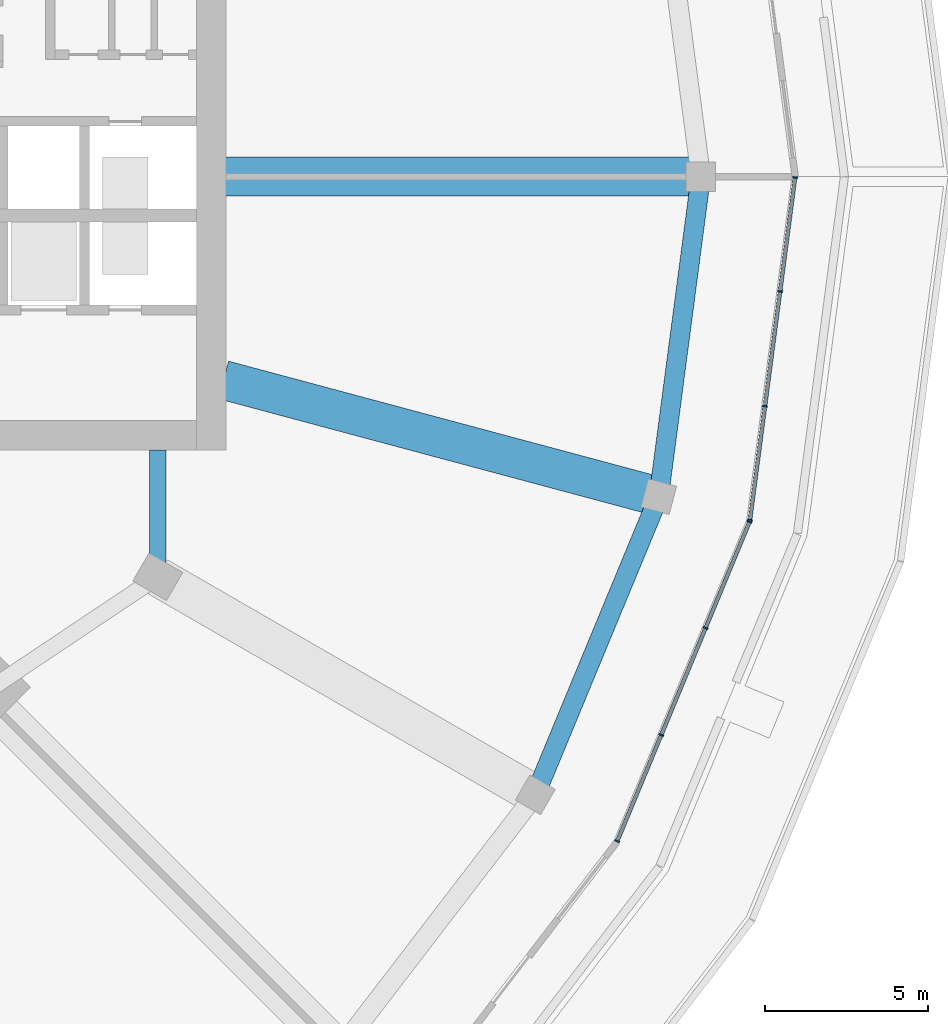
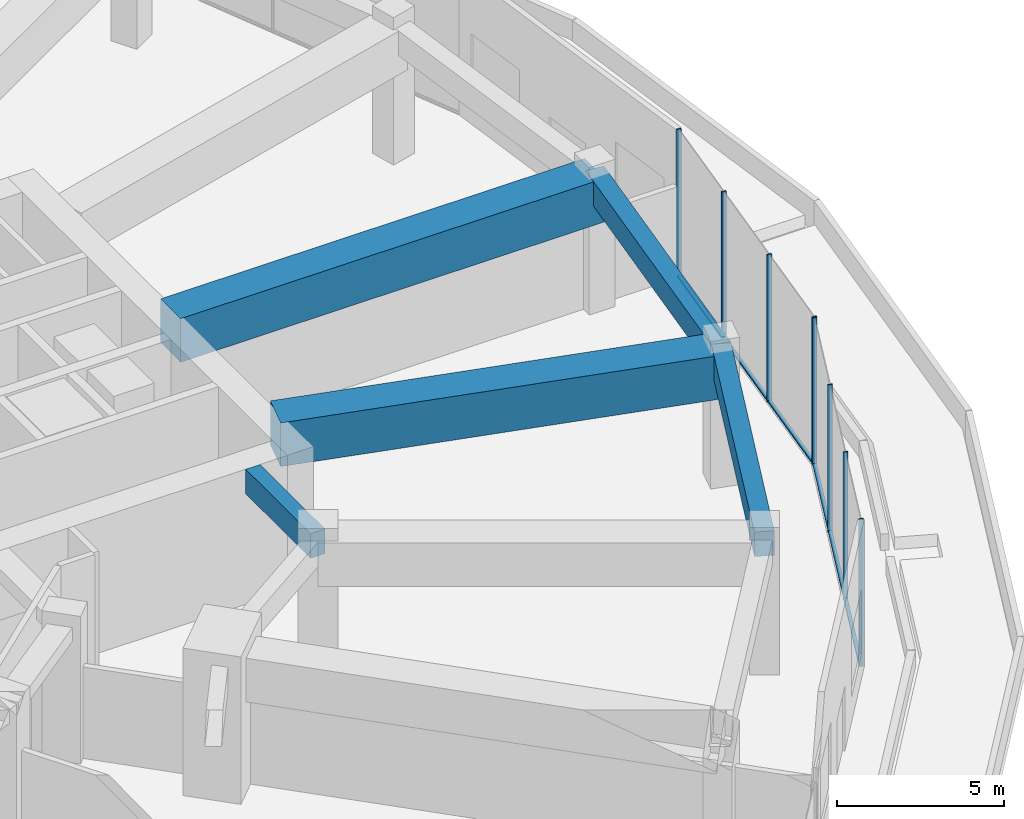
# One storey, part 12 of 30: 14 members, 5 beams, 2 elements without a shape of their own.
"""IFC4 building model written with IfcOpenShell, lengths in metres."""

from ifc_helpers import new_model, si_unit, direction, frame, origin, origin_2d, place, context, subcontext, project, spatial, rectangle, extrude, material, layer, layer_set, material_profile, profile_set, type_object, element, aggregate, save


model = new_model("IFC4")

# Units and contexts
model_context = context("Model", 3, precision=1e-05, world=origin(), true_north=direction((0.0, 1.0)))
body_context = subcontext(model_context, "Body", "Model", "MODEL_VIEW")
ifc_project = project(units=[si_unit("LENGTHUNIT", "METRE"), si_unit("AREAUNIT", "SQUARE_METRE"), si_unit("VOLUMEUNIT", "CUBIC_METRE"), si_unit("PLANEANGLEUNIT", "RADIAN"), si_unit("MASSUNIT", "GRAM", prefix="KILO")], contexts=[model_context])

# Site, building, storey
site_placement = place(None, origin())
site = spatial("IfcSite", under=ifc_project, at=site_placement, CompositionType="ELEMENT")
building_placement = place(site_placement, origin())
building = spatial("IfcBuilding", under=site, at=building_placement, Name="Torre Brocal", CompositionType="ELEMENT")
storey_placement = place(building_placement, frame((0.0, 0.0, 7.0)))
storey = spatial("IfcBuildingStorey", under=building, at=storey_placement, Name="L01", CompositionType="ELEMENT", Elevation=7.0)

# Curtain wall, members
ifc_material_1 = material(Name="Aluminium and glass", Category="aluminium")
ifc_layer = layer(ifc_material_1, 0.199951171875)
ifc_layer_set = layer_set([ifc_layer], Name="Aluminium and glass")
curtain_wall_type = type_object("IfcCurtainWallType", Name="CW-3 CURTAIN WALL 5400 HIGH", PredefinedType="NOTDEFINED", material=ifc_layer_set)
curtain_wall_1_placement = place(storey_placement, origin())
curtain_wall_1 = element("IfcCurtainWall", 1, at=curtain_wall_1_placement, inside=storey, type_object=curtain_wall_type, Name="CW-3 RUN 23", PredefinedType="NOTDEFINED")
ifc_material_2 = material(Name="Aluminium, dark anodised", Category="aluminium")
ifc_material_profile_1 = material_profile(ifc_material_2, rectangle(XDim=0.14990234375, YDim=0.050048828125, at=origin_2d()), Name="CW-3 MULLION 50X150")
ifc_profile_set_1 = profile_set([ifc_material_profile_1], Name="Aluminium, dark anodised")
member_type_1 = type_object("IfcMemberType", Name="CW-3 MULLION 50X150", PredefinedType="MULLION", material=ifc_profile_set_1)
member_1_placement = place(storey_placement, frame((115.42919921875, 54.573486328125, 0.0), z_axis=(0.0, 0.0, 1.0), x_axis=(-0.923879532498, 0.382683432397, 0.0)))
member_1 = element("IfcMember", 2, at=member_1_placement, type_object=member_type_1, Name="CW3-2 mullion 1", PredefinedType="MULLION", context=body_context, shape_type="SweptSolid", body=[
    extrude(rectangle(XDim=0.14990234375, YDim=0.050048828125, at=origin_2d()), origin(), (0.0, 0.0, 1.0), 5.39990234375),
])
member_2_placement = place(storey_placement, frame((116.78173828125, 57.83837890625, 0.0), z_axis=(0.0, 0.0, 1.0), x_axis=(-0.923879532498, 0.382683432397, 0.0)))
member_2 = element("IfcMember", 3, at=member_2_placement, type_object=member_type_1, Name="CW3-2 mullion 2", PredefinedType="MULLION", context=body_context, shape_type="SweptSolid", body=[
    extrude(rectangle(XDim=0.14990234375, YDim=0.050048828125, at=origin_2d()), origin(), (0.0, 0.0, 1.0), 5.39990234375),
])
member_3_placement = place(storey_placement, frame((118.1435546875, 61.12646484375, 0.0), z_axis=(0.0, 0.0, 1.0), x_axis=(-0.923879532498, 0.382683432397, 0.0)))
member_3 = element("IfcMember", 4, at=member_3_placement, type_object=member_type_1, Name="CW3-2 mullion 3", PredefinedType="MULLION", context=body_context, shape_type="SweptSolid", body=[
    extrude(rectangle(XDim=0.14990234375, YDim=0.050048828125, at=origin_2d()), origin(), (0.0, 0.0, 1.0), 5.39990234375),
])
member_4_placement = place(storey_placement, frame((119.495849609375, 64.391357421875, 0.0), z_axis=(0.0, 0.0, 1.0), x_axis=(-0.923879532498, 0.382683432397, 0.0)))
member_4 = element("IfcMember", 5, at=member_4_placement, type_object=member_type_1, Name="CW3-2 mullion 4", PredefinedType="MULLION", context=body_context, shape_type="SweptSolid", body=[
    extrude(rectangle(XDim=0.14990234375, YDim=0.050048828125, at=origin_2d()), origin(), (0.0, 0.0, 1.0), 5.39990234375),
])

curtain_wall_2_placement = place(storey_placement, origin())
curtain_wall_2 = element("IfcCurtainWall", 6, at=curtain_wall_2_placement, inside=storey, type_object=curtain_wall_type, Name="CW-3 RUN 24", PredefinedType="NOTDEFINED")
member_5_placement = place(storey_placement, frame((119.5087890625, 64.439208984375, 0.0), z_axis=(0.0, 0.0, 1.0), x_axis=(-0.991444861378, 0.130526192185, 0.0)))
member_5 = element("IfcMember", 7, at=member_5_placement, type_object=member_type_1, Name="CW3-2 mullion 1", PredefinedType="MULLION", context=body_context, shape_type="SweptSolid", body=[
    extrude(rectangle(XDim=0.14990234375, YDim=0.050048828125, at=origin_2d()), origin(), (0.0, 0.0, 1.0), 5.39990234375),
])
member_6_placement = place(storey_placement, frame((119.969970703125, 67.943115234375, 0.0), z_axis=(0.0, 0.0, 1.0), x_axis=(-0.991444861378, 0.130526192185, 0.0)))
member_6 = element("IfcMember", 8, at=member_6_placement, type_object=member_type_1, Name="CW3-2 mullion 2", PredefinedType="MULLION", context=body_context, shape_type="SweptSolid", body=[
    extrude(rectangle(XDim=0.14990234375, YDim=0.050048828125, at=origin_2d()), origin(), (0.0, 0.0, 1.0), 5.39990234375),
])
member_7_placement = place(storey_placement, frame((120.4345703125, 71.471435546875, 0.0), z_axis=(0.0, 0.0, 1.0), x_axis=(-0.991444861378, 0.130526192185, 0.0)))
member_7 = element("IfcMember", 9, at=member_7_placement, type_object=member_type_1, Name="CW3-2 mullion 3", PredefinedType="MULLION", context=body_context, shape_type="SweptSolid", body=[
    extrude(rectangle(XDim=0.14990234375, YDim=0.050048828125, at=origin_2d()), origin(), (0.0, 0.0, 1.0), 5.39990234375),
])
member_8_placement = place(storey_placement, frame((120.895751953125, 74.97509765625, 0.0), z_axis=(0.0, 0.0, 1.0), x_axis=(-0.991444861378, 0.130526192185, 0.0)))
member_8 = element("IfcMember", 10, at=member_8_placement, type_object=member_type_1, Name="CW3-2 mullion 4", PredefinedType="MULLION", context=body_context, shape_type="SweptSolid", body=[
    extrude(rectangle(XDim=0.14990234375, YDim=0.050048828125, at=origin_2d()), origin(), (0.0, 0.0, 1.0), 5.39990234375),
])

# Member
ifc_material_3 = material(Name="Aluminium, dark anodised", Category="aluminium")
ifc_material_profile_2 = material_profile(ifc_material_3, rectangle(XDim=0.1201171875, YDim=0.06005859375, at=origin_2d()), Name="CW-3 TRANSOM 120X60")
ifc_profile_set_2 = profile_set([ifc_material_profile_2], Name="Aluminium, dark anodised")
member_type_2 = type_object("IfcMemberType", Name="CW-3 TRANSOM 120X60", PredefinedType="USERDEFINED", material=ifc_profile_set_2)
member_9_placement = place(storey_placement, frame((115.438720703125, 54.5966796875, 0.030029296875), z_axis=(0.382683934419, 0.923879324553, 0.0), x_axis=(-0.923879324553, 0.382683934419, 0.0)))
member_9 = element("IfcMember", 11, at=member_9_placement, type_object=member_type_2, Name="CW3-2 transom 1.1", ObjectType="TRANSOM", PredefinedType="USERDEFINED", context=body_context, shape_type="SweptSolid", body=[
    extrude(rectangle(XDim=0.1201171875, YDim=0.06005859375, at=origin_2d()), origin(), (0.0, 0.0, 1.0), 3.48388671875),
])

member_10_placement = place(storey_placement, frame((116.791259765625, 57.861572265625, 0.030029296875), z_axis=(0.382663128485, 0.923887942392, 0.0), x_axis=(-0.923887942392, 0.382663128485, 0.0)))
member_10 = element("IfcMember", 12, at=member_10_placement, type_object=member_type_2, Name="CW3-2 transom 2.1", ObjectType="TRANSOM", PredefinedType="USERDEFINED", context=body_context, shape_type="SweptSolid", body=[
    extrude(rectangle(XDim=0.1201171875, YDim=0.06005859375, at=origin_2d()), origin(), (0.0, 0.0, 1.0), 3.509033203125),
])

member_11_placement = place(storey_placement, frame((118.153076171875, 61.149658203125, 0.030029296875), z_axis=(0.382683934419, 0.923879324553, 0.0), x_axis=(-0.923879324553, 0.382683934419, 0.0)))
member_11 = element("IfcMember", 13, at=member_11_placement, type_object=member_type_2, Name="CW3-2 transom 3.1", ObjectType="TRANSOM", PredefinedType="USERDEFINED", context=body_context, shape_type="SweptSolid", body=[
    extrude(rectangle(XDim=0.1201171875, YDim=0.06005859375, at=origin_2d()), origin(), (0.0, 0.0, 1.0), 3.48388671875),
])

aggregate(curtain_wall_1, [member_1, member_2, member_3, member_4, member_9, member_10, member_11])

member_12_placement = place(storey_placement, frame((119.511962890625, 64.464111328125, 0.030029296875), z_axis=(0.130552399509, 0.991441410766, 0.0), x_axis=(-0.991441410766, 0.130552399509, 0.0)))
member_12 = element("IfcMember", 14, at=member_12_placement, type_object=member_type_2, Name="CW3-2 transom 1.1", ObjectType="TRANSOM", PredefinedType="USERDEFINED", context=body_context, shape_type="SweptSolid", body=[
    extrude(rectangle(XDim=0.1201171875, YDim=0.06005859375, at=origin_2d()), origin(), (0.0, 0.0, 1.0), 3.48388671875),
])

member_13_placement = place(storey_placement, frame((119.973388671875, 67.9677734375, 0.030029296875), z_axis=(0.130522903314, 0.991445294361, 0.0), x_axis=(-0.991445294361, 0.130522903314, 0.0)))
member_13 = element("IfcMember", 15, at=member_13_placement, type_object=member_type_2, Name="CW3-2 transom 2.1", ObjectType="TRANSOM", PredefinedType="USERDEFINED", context=body_context, shape_type="SweptSolid", body=[
    extrude(rectangle(XDim=0.1201171875, YDim=0.06005859375, at=origin_2d()), origin(), (0.0, 0.0, 1.0), 3.509033203125),
])

member_14_placement = place(storey_placement, frame((120.437744140625, 71.496337890625, 0.030029296875), z_axis=(0.130552399509, 0.991441410766, 0.0), x_axis=(-0.991441410766, 0.130552399509, 0.0)))
member_14 = element("IfcMember", 16, at=member_14_placement, type_object=member_type_2, Name="CW3-2 transom 3.1", ObjectType="TRANSOM", PredefinedType="USERDEFINED", context=body_context, shape_type="SweptSolid", body=[
    extrude(rectangle(XDim=0.1201171875, YDim=0.06005859375, at=origin_2d()), origin(), (0.0, 0.0, 1.0), 3.48388671875),
])

aggregate(curtain_wall_2, [member_5, member_6, member_7, member_8, member_12, member_13, member_14])

# Beams
ifc_material_4 = material(Name="Concrete C50", Category="concrete")
ifc_material_profile_3 = material_profile(ifc_material_4, rectangle(XDim=0.60009765625, YDim=0.89990234375, at=origin_2d()), Name="RC 600X900")
ifc_profile_set_3 = profile_set([ifc_material_profile_3], Name="Concrete C50")
beam_type_1 = type_object("IfcBeamType", Name="RC BEAM 600X900 C50 TOP 4950", PredefinedType="BEAM", material=ifc_profile_set_3)
beam_1_placement = place(storey_placement, frame((112.908935546875, 56.0, 4.5), z_axis=(0.382680009946, 0.923880950116, 0.0), x_axis=(-0.923880950116, 0.382680009946, 0.0)))
element("IfcBeam", 17, at=beam_1_placement, inside=storey, type_object=beam_type_1, Name="Beam BT-10", PredefinedType="BEAM", context=body_context, shape_type="SweptSolid", body=[
    extrude(rectangle(XDim=0.60009765625, YDim=0.89990234375, at=origin_2d()), origin(), (0.0, 0.0, 1.0), 9.919921875),
])
beam_2_placement = place(storey_placement, frame((116.705078125, 65.164794921875, 4.5), z_axis=(0.13053536403, 0.991443653839, 0.0), x_axis=(-0.991443653839, 0.13053536403, 0.0)))
element("IfcBeam", 18, at=beam_2_placement, inside=storey, type_object=beam_type_1, Name="Beam BT-10", PredefinedType="BEAM", context=body_context, shape_type="SweptSolid", body=[
    extrude(rectangle(XDim=0.60009765625, YDim=0.89990234375, at=origin_2d()), origin(), (0.0, 0.0, 1.0), 9.920166015625),
])
ifc_material_5 = material(Name="Concrete C50", Category="concrete")
ifc_material_profile_4 = material_profile(ifc_material_5, rectangle(XDim=0.5, YDim=0.89990234375, at=origin_2d()), Name="RC 500X900")
ifc_profile_set_4 = profile_set([ifc_material_profile_4], Name="Concrete C50")
beam_type_2 = type_object("IfcBeamType", Name="RC SPANDREL BEAM 500X900 C50 TOP 4950", PredefinedType="SPANDREL", material=ifc_profile_set_4)
beam_3_placement = place(storey_placement, frame((101.30419921875, 62.699951171875, 4.5), z_axis=(0.0, 1.0, 0.0), x_axis=(-1.0, 0.0, 0.0)))
element("IfcBeam", 19, at=beam_3_placement, inside=storey, type_object=beam_type_2, Name="Beam BT-12", PredefinedType="SPANDREL", context=body_context, shape_type="SweptSolid", body=[
    extrude(rectangle(XDim=0.5, YDim=0.89990234375, at=origin_2d()), origin(), (0.0, 0.0, 1.0), 3.900146484375),
])
ifc_material_6 = material(Name="Concrete C60", Category="concrete")
ifc_material_profile_5 = material_profile(ifc_material_6, rectangle(XDim=1.199951171875, YDim=1.60009765625, at=origin_2d()), Name="RC 1200X1600")
ifc_profile_set_5 = profile_set([ifc_material_profile_5], Name="Concrete C60")
beam_type_3 = type_object("IfcBeamType", Name="RC TRANSFER GIRDER 1200X1600 C60 TOP 4950", PredefinedType="BEAM", material=ifc_profile_set_5)
beam_4_placement = place(storey_placement, frame((103.300048828125, 75.0, 4.14990234375), z_axis=(1.0, 0.0, 0.0), x_axis=(0.0, 1.0, 0.0)))
element("IfcBeam", 20, at=beam_4_placement, inside=storey, type_object=beam_type_3, Name="Beam TG-02", PredefinedType="BEAM", context=body_context, shape_type="SweptSolid", body=[
    extrude(rectangle(XDim=1.199951171875, YDim=1.60009765625, at=origin_2d()), origin(), (0.0, 0.0, 1.0), 14.699951171875),
])
beam_5_placement = place(storey_placement, frame((103.3271484375, 68.74951171875, 4.14990234375), z_axis=(0.965923816483, -0.258826545686, 0.0), x_axis=(0.258826545686, 0.965923816483, 0.0)))
element("IfcBeam", 21, at=beam_5_placement, inside=storey, type_object=beam_type_3, Name="Beam TG-02", PredefinedType="BEAM", context=body_context, shape_type="SweptSolid", body=[
    extrude(rectangle(XDim=1.199951171875, YDim=1.60009765625, at=origin_2d()), origin(), (0.0, 0.0, 1.0), 13.849853515625),
])

save(model, "model.ifc")
